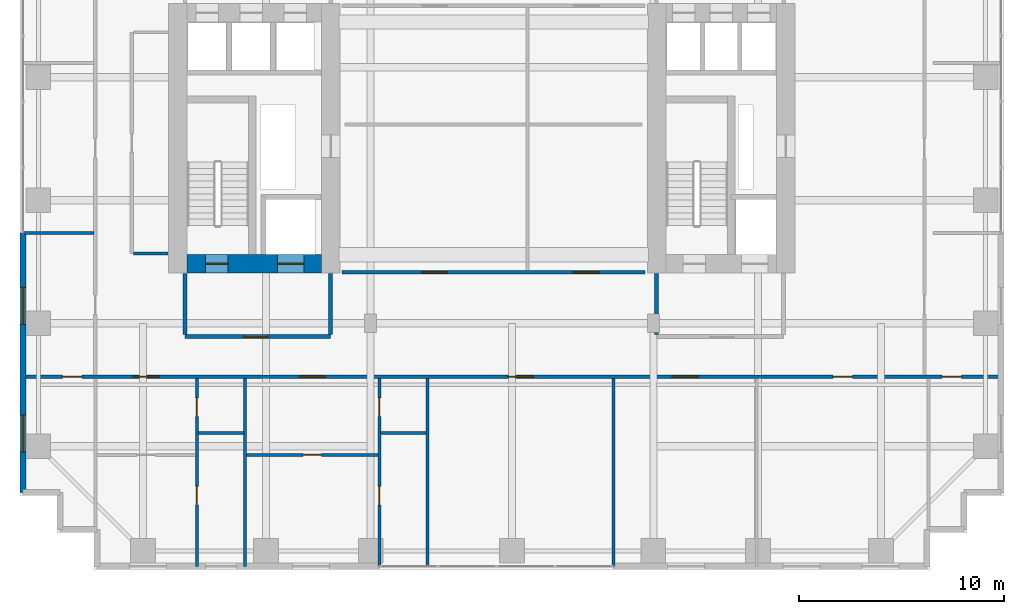
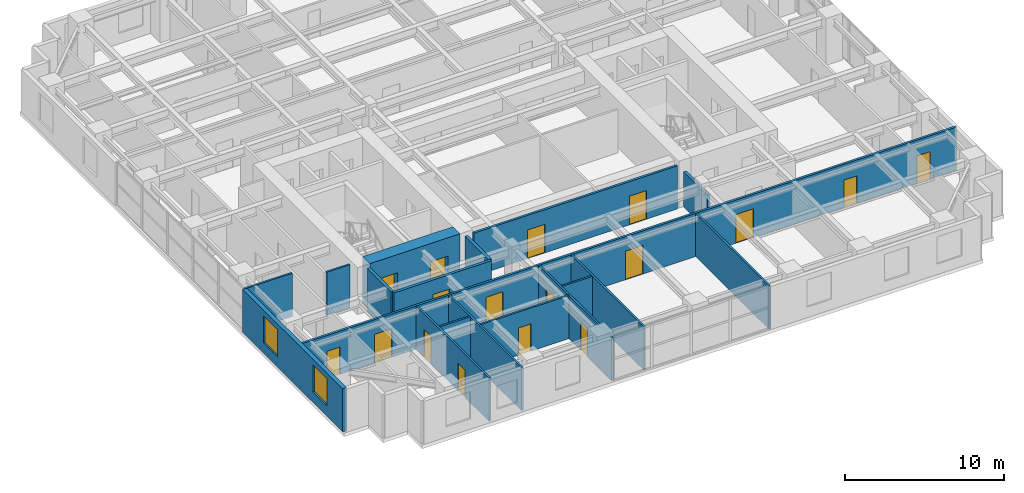
# One storey, part 20 of 24: 18 walls, 17 doors, 2 windows, 19 openings.
"""IFC4 building model written with IfcOpenShell, lengths in metres."""

from ifc_helpers import new_model, si_unit, direction, frame, frame_2d, origin, place, context, subcontext, project, spatial, rectangle, extrude, source, transform, mapped, material, layer, layer_set, type_object, element, fill, save


model = new_model("IFC4")

# Units and contexts
model_context = context("Model", 3, precision=1e-05, world=origin(), true_north=direction((0.0, 1.0)))
body_context = subcontext(model_context, "Body", "Model", "MODEL_VIEW")
ifc_project = project(units=[si_unit("LENGTHUNIT", "METRE"), si_unit("AREAUNIT", "SQUARE_METRE"), si_unit("VOLUMEUNIT", "CUBIC_METRE"), si_unit("PLANEANGLEUNIT", "RADIAN"), si_unit("MASSUNIT", "GRAM", prefix="KILO")], contexts=[model_context])

# Site, building, storey
site_placement = place(None, origin())
site = spatial("IfcSite", under=ifc_project, at=site_placement, CompositionType="ELEMENT")
building_placement = place(site_placement, origin())
building = spatial("IfcBuilding", under=site, at=building_placement, Name="Khoralis Quay Care Tower", CompositionType="ELEMENT")
storey_placement = place(building_placement, frame((0.0, 0.0, 62.10009765625)))
storey = spatial("IfcBuildingStorey", under=building, at=storey_placement, Name="L16", CompositionType="ELEMENT", Elevation=62.10009765625)

# Wall, opening, door
ifc_material_1 = material(Name="Gypsum plasterboard on acoustic metal stud")
ifc_layer_1 = layer(ifc_material_1, 0.199951171875)
ifc_layer_set_1 = layer_set([ifc_layer_1], Name="Gypsum plasterboard on acoustic metal stud")
wall_type_1 = type_object("IfcWallType", Name="WL-COMP-200", PredefinedType="PARTITIONING", material=ifc_layer_set_1)
wall_1_placement = place(storey_placement, frame((8.050048828125, 11.35009765625, 0.0), z_axis=(0.0, 0.0, 1.0), x_axis=(1.0, 0.0, 0.0)))
wall_1 = element("IfcWall", 1, at=wall_1_placement, inside=storey, type_object=wall_type_1, Name="L16 West Firefighting Lobby South Wall", PredefinedType="PARTITIONING", context=body_context, shape_type="SweptSolid", body=[
    extrude(rectangle(XDim=7.099853515625, YDim=0.199951171875, at=frame_2d((3.5498046875, 0.0))), origin(), (0.0, 0.0, 1.0), 3.31982421875),
])
opening_1_placement = place(wall_1_placement, frame((2.846435546875, 0.0, 0.0)))
opening_1 = element("IfcOpeningElement", 2, at=opening_1_placement, cuts=wall_1, Name="Opening FD1", PredefinedType="OPENING", context=body_context, shape_type="SweptSolid", body=[
    extrude(rectangle(XDim=1.199951171875, YDim=2.199951171875, at=frame_2d((0.60009765625, 1.10009765625))), frame((0.0, 0.10986328125, 0.0), z_axis=(0.0, -1.0, 0.0), x_axis=(1.0, 0.0, 0.0)), (0.0, 0.0, 1.0), 0.219970703125),
])
ifc_material_2 = material(Name="Fire-rated painted steel", Category="steel")
door_type_1 = type_object("IfcDoorType", Name="DR-FFL-1200X2200", OperationType="NOTDEFINED", PredefinedType="DOOR", material=ifc_material_2)
shared_shape_1 = source(origin(), body_context, "Body", "SweptSolid", [
    extrude(rectangle(XDim=1.199951171875, YDim=2.199951171875, at=frame_2d((0.60009765625, 1.10009765625))), frame((0.0, 0.02490234375, 0.0), z_axis=(0.0, -1.0, 0.0), x_axis=(1.0, 0.0, 0.0)), (0.0, 0.0, 1.0), 0.050048828125),
])
door_1_placement = place(opening_1_placement, origin())
door_1 = element("IfcDoor", 3, at=door_1_placement, inside=storey, type_object=door_type_1, Name="L16 West Firefighting Lobby Fire Door", OperationType="SINGLE_SWING_RIGHT", OverallHeight=2.199951171875, OverallWidth=1.199951171875, PredefinedType="DOOR", context=body_context, shape_type="MappedRepresentation", body=[
    mapped(shared_shape_1, transform((0.0, 0.0, 0.0), scale=1.0)),
])
fill(opening_1, door_1)

# Walls
for number, where, z_axis, x_axis, name in (
    (4, (8.050048828125, 11.445068359375, 0.0), (0.0, 0.0, 1.0), (0.0, 1.0, 0.0), "L16 West Firefighting Lobby West Wall"),
    (5, (15.14990234375, 11.445068359375, 0.0), (0.0, 0.0, 1.0), (0.0, 1.0, 0.0), "L16 West Firefighting Lobby East Wall"),
):
    element("IfcWall", number, at=place(storey_placement, frame(where, z_axis=z_axis, x_axis=x_axis)), inside=storey, type_object=wall_type_1, Name=name, PredefinedType="PARTITIONING", context=body_context, shape_type="SweptSolid", body=[
        extrude(rectangle(XDim=2.98486328125, YDim=0.199951171875, at=frame_2d((1.492431640625, 0.0))), origin(), (0.0, 0.0, 1.0), 3.31982421875),
    ])
wall_2_placement = place(storey_placement, frame((31.050048828125, 11.445068359375, 0.0), z_axis=(0.0, 0.0, 1.0), x_axis=(0.0, 1.0, 0.0)))
element("IfcWall", 6, at=wall_2_placement, inside=storey, type_object=wall_type_1, Name="L16 East Firefighting Lobby West Wall", PredefinedType="PARTITIONING", context=body_context, shape_type="SweptSolid", body=[
    extrude(rectangle(XDim=2.98486328125, YDim=0.199951171875, at=frame_2d((1.492431640625, 0.0))), origin(), (0.0, 0.0, 1.0), 2.703857421875),
])

# Wall, openings, doors
ifc_material_3 = material(Name="Concrete C80/95", Category="concrete")
ifc_layer_2 = layer(ifc_material_3, 0.89990234375)
ifc_layer_set_2 = layer_set([ifc_layer_2], Name="Concrete C80/95")
wall_type_2 = type_object("IfcWallType", Name="WL-CORE-900", PredefinedType="SHEAR", material=ifc_layer_set_2)
wall_3_placement = place(storey_placement, frame((8.14990234375, 14.89990234375, 0.0), z_axis=(0.0, 0.0, 1.0), x_axis=(1.0, 0.0, 0.0)))
wall_3 = element("IfcWall", 7, at=wall_3_placement, inside=storey, type_object=wall_type_2, Name="L16 WCORE South Shear Wall", PredefinedType="SHEAR", context=body_context, shape_type="SweptSolid", body=[
    extrude(rectangle(XDim=6.550048828125, YDim=0.89990234375, at=frame_2d((3.27490234375, 0.0))), origin(), (0.0, 0.0, 1.0), 3.599853515625),
])
opening_2_placement = place(wall_3_placement, frame((0.89990234375, 0.0, 0.0)))
opening_2 = element("IfcOpeningElement", 8, at=opening_2_placement, cuts=wall_3, Name="Opening SD1", PredefinedType="OPENING", context=body_context, shape_type="SweptSolid", body=[
    extrude(rectangle(XDim=1.10009765625, YDim=2.199951171875, at=frame_2d((0.550048828125, 1.10009765625))), frame((0.0, 0.4599609375, 0.0), z_axis=(0.0, -1.0, 0.0), x_axis=(1.0, 0.0, 0.0)), (0.0, 0.0, 1.0), 0.919921875),
])
opening_3_placement = place(wall_3_placement, frame((4.39990234375, 0.0, 0.0)))
opening_3 = element("IfcOpeningElement", 9, at=opening_3_placement, cuts=wall_3, Name="Opening LD2", PredefinedType="OPENING", context=body_context, shape_type="SweptSolid", body=[
    extrude(rectangle(XDim=1.300048828125, YDim=2.199951171875, at=frame_2d((0.64990234375, 1.10009765625))), frame((0.0, 0.4599609375, 0.0), z_axis=(0.0, -1.0, 0.0), x_axis=(1.0, 0.0, 0.0)), (0.0, 0.0, 1.0), 0.919921875),
])
door_type_2 = type_object("IfcDoorType", Name="DR-STAIR-1100X2200", OperationType="NOTDEFINED", PredefinedType="DOOR", material=ifc_material_2)
shared_shape_2 = source(origin(), body_context, "Body", "SweptSolid", [
    extrude(rectangle(XDim=1.10009765625, YDim=2.199951171875, at=frame_2d((0.550048828125, 1.10009765625))), frame((0.0, 0.02490234375, 0.0), z_axis=(0.0, -1.0, 0.0), x_axis=(1.0, 0.0, 0.0)), (0.0, 0.0, 1.0), 0.050048828125),
])
door_2_placement = place(opening_2_placement, origin())
door_2 = element("IfcDoor", 10, at=door_2_placement, inside=storey, type_object=door_type_2, Name="L16 Stair ST-T1 Fire Door", OperationType="SINGLE_SWING_RIGHT", OverallHeight=2.199951171875, OverallWidth=1.10009765625, PredefinedType="DOOR", context=body_context, shape_type="MappedRepresentation", body=[
    mapped(shared_shape_2, transform((0.0, 0.0, 0.0), scale=1.0)),
])
fill(opening_2, door_2)
ifc_material_4 = material(Name="Brushed stainless steel", Category="steel")
door_type_3 = type_object("IfcDoorType", Name="DR-LIFT-1300X2200", OperationType="SLIDING_TO_RIGHT", PredefinedType="DOOR", material=ifc_material_4)
shared_shape_3 = source(origin(), body_context, "Body", "SweptSolid", [
    extrude(rectangle(XDim=1.300048828125, YDim=2.199951171875, at=frame_2d((0.64990234375, 1.10009765625))), frame((0.0, 0.02490234375, 0.0), z_axis=(0.0, -1.0, 0.0), x_axis=(1.0, 0.0, 0.0)), (0.0, 0.0, 1.0), 0.050048828125),
])
door_3_placement = place(opening_3_placement, origin())
door_3 = element("IfcDoor", 11, at=door_3_placement, inside=storey, type_object=door_type_3, Name="L16 Firefighting Lift FFL-1 Landing Door", OperationType="SLIDING_TO_RIGHT", OverallHeight=2.199951171875, OverallWidth=1.300048828125, PredefinedType="DOOR", context=body_context, shape_type="MappedRepresentation", body=[
    mapped(shared_shape_3, transform((0.0, 0.0, 0.0), scale=1.0)),
])
fill(opening_3, door_3)

ifc_layer_3 = layer(ifc_material_1, 0.1650390625)
ifc_layer_set_3 = layer_set([ifc_layer_3], Name="Gypsum plasterboard on acoustic metal stud")
wall_type_3 = type_object("IfcWallType", Name="WL-CORR-165", PredefinedType="PARTITIONING", material=ifc_layer_set_3)
wall_4_placement = place(storey_placement, frame((0.14501953125, 9.39990234375, 0.0), z_axis=(0.0, 0.0, 1.0), x_axis=(1.0, 0.0, 0.0)))
wall_4 = element("IfcWall", 12, at=wall_4_placement, inside=storey, type_object=wall_type_3, Name="L16 South Main Corridor Wall", PredefinedType="PARTITIONING", context=body_context, shape_type="SweptSolid", body=[
    extrude(rectangle(XDim=47.7099609375, YDim=0.1650390625, at=frame_2d((23.85498046875, 0.0))), origin(), (0.0, 0.0, 1.0), 3.31982421875),
])
opening_4_placement = place(wall_4_placement, frame((5.385009765625, 0.0, 0.0)))
opening_4 = element("IfcOpeningElement", 13, at=opening_4_placement, cuts=wall_4, Name="Opening CD1", PredefinedType="OPENING", context=body_context, shape_type="SweptSolid", body=[
    extrude(rectangle(XDim=1.25, YDim=2.199951171875, at=frame_2d((0.625, 1.10009765625))), frame((0.0, 0.092529296875, 0.0), z_axis=(0.0, -1.0, 0.0), x_axis=(1.0, 0.0, 0.0)), (0.0, 0.0, 1.0), 0.18505859375),
])
opening_5_placement = place(wall_4_placement, frame((13.485107421875, 0.0, 0.0)))
opening_5 = element("IfcOpeningElement", 14, at=opening_5_placement, cuts=wall_4, Name="Opening CD1", PredefinedType="OPENING", context=body_context, shape_type="SweptSolid", body=[
    extrude(rectangle(XDim=1.25, YDim=2.199951171875, at=frame_2d((0.625, 1.10009765625))), frame((0.0, 0.092529296875, 0.0), z_axis=(0.0, -1.0, 0.0), x_axis=(1.0, 0.0, 0.0)), (0.0, 0.0, 1.0), 0.18505859375),
])
opening_6_placement = place(wall_4_placement, frame((23.64501953125, 0.0, 0.0)))
opening_6 = element("IfcOpeningElement", 15, at=opening_6_placement, cuts=wall_4, Name="Opening CD1", PredefinedType="OPENING", context=body_context, shape_type="SweptSolid", body=[
    extrude(rectangle(XDim=1.25, YDim=2.199951171875, at=frame_2d((0.625, 1.10009765625))), frame((0.0, 0.092529296875, 0.0), z_axis=(0.0, -1.0, 0.0), x_axis=(1.0, 0.0, 0.0)), (0.0, 0.0, 1.0), 0.18505859375),
])
opening_7_placement = place(wall_4_placement, frame((31.675048828125, 0.0, 0.0)))
opening_7 = element("IfcOpeningElement", 16, at=opening_7_placement, cuts=wall_4, Name="Opening CD1", PredefinedType="OPENING", context=body_context, shape_type="SweptSolid", body=[
    extrude(rectangle(XDim=1.25, YDim=2.199951171875, at=frame_2d((0.625, 1.10009765625))), frame((0.0, 0.092529296875, 0.0), z_axis=(0.0, -1.0, 0.0), x_axis=(1.0, 0.0, 0.0)), (0.0, 0.0, 1.0), 0.18505859375),
])
opening_8_placement = place(wall_4_placement, frame((39.510009765625, 0.0, 0.0)))
opening_8 = element("IfcOpeningElement", 17, at=opening_8_placement, cuts=wall_4, Name="Opening ID1", PredefinedType="OPENING", context=body_context, shape_type="SweptSolid", body=[
    extrude(rectangle(XDim=0.949951171875, YDim=2.10009765625, at=frame_2d((0.47509765625, 1.050048828125))), frame((0.0, 0.092529296875, 0.0), z_axis=(0.0, -1.0, 0.0), x_axis=(1.0, 0.0, 0.0)), (0.0, 0.0, 1.0), 0.18505859375),
])
opening_9_placement = place(wall_4_placement, frame((1.919921875, 0.0, 0.0)))
opening_9 = element("IfcOpeningElement", 18, at=opening_9_placement, cuts=wall_4, Name="Opening ID1", PredefinedType="OPENING", context=body_context, shape_type="SweptSolid", body=[
    extrude(rectangle(XDim=0.949951171875, YDim=2.10009765625, at=frame_2d((0.47509765625, 1.050048828125))), frame((0.0, 0.092529296875, 0.0), z_axis=(0.0, -1.0, 0.0), x_axis=(1.0, 0.0, 0.0)), (0.0, 0.0, 1.0), 0.18505859375),
])
opening_10_placement = place(wall_4_placement, frame((44.840087890625, 0.0, 0.0)))
opening_10 = element("IfcOpeningElement", 19, at=opening_10_placement, cuts=wall_4, Name="Opening ID1", PredefinedType="OPENING", context=body_context, shape_type="SweptSolid", body=[
    extrude(rectangle(XDim=0.949951171875, YDim=2.10009765625, at=frame_2d((0.47509765625, 1.050048828125))), frame((0.0, 0.092529296875, 0.0), z_axis=(0.0, -1.0, 0.0), x_axis=(1.0, 0.0, 0.0)), (0.0, 0.0, 1.0), 0.18505859375),
])
ifc_material_5 = material(Name="Acoustic hardwood timber", Category="wood")
door_type_4 = type_object("IfcDoorType", Name="DR-CARE-1250X2200", OperationType="NOTDEFINED", PredefinedType="DOOR", material=ifc_material_5)
shared_shape_4 = source(origin(), body_context, "Body", "SweptSolid", [
    extrude(rectangle(XDim=1.25, YDim=2.199951171875, at=frame_2d((0.625, 1.10009765625))), frame((0.0, 0.02490234375, 0.0), z_axis=(0.0, -1.0, 0.0), x_axis=(1.0, 0.0, 0.0)), (0.0, 0.0, 1.0), 0.050048828125),
])
door_4_placement = place(opening_4_placement, frame((1.25, 0.0, 0.0), z_axis=(0.0, 0.0, 1.0), x_axis=(-1.0, 0.0, 0.0)))
door_4 = element("IfcDoor", 20, at=door_4_placement, inside=storey, type_object=door_type_4, Name="L16 Care Suite SB0 Clinical Door", OperationType="SINGLE_SWING_RIGHT", OverallHeight=2.199951171875, OverallWidth=1.25, PredefinedType="DOOR", context=body_context, shape_type="MappedRepresentation", body=[
    mapped(shared_shape_4, transform((0.0, 0.0, 0.0), scale=1.0)),
])
fill(opening_4, door_4)
door_5_placement = place(opening_5_placement, frame((1.25, 0.0, 0.0), z_axis=(0.0, 0.0, 1.0), x_axis=(-1.0, 0.0, 0.0)))
door_5 = element("IfcDoor", 21, at=door_5_placement, inside=storey, type_object=door_type_4, Name="L16 Care Suite SB1 Clinical Door", OperationType="SINGLE_SWING_LEFT", OverallHeight=2.199951171875, OverallWidth=1.25, PredefinedType="DOOR", context=body_context, shape_type="MappedRepresentation", body=[
    mapped(shared_shape_4, transform((0.0, 0.0, 0.0), scale=1.0)),
])
fill(opening_5, door_5)
door_6_placement = place(opening_6_placement, frame((1.25, 0.0, 0.0), z_axis=(0.0, 0.0, 1.0), x_axis=(-1.0, 0.0, 0.0)))
door_6 = element("IfcDoor", 22, at=door_6_placement, inside=storey, type_object=door_type_4, Name="L16 Geriatric Consultation Clinic Door", OperationType="SINGLE_SWING_RIGHT", OverallHeight=2.199951171875, OverallWidth=1.25, PredefinedType="DOOR", context=body_context, shape_type="MappedRepresentation", body=[
    mapped(shared_shape_4, transform((0.0, 0.0, 0.0), scale=1.0)),
])
fill(opening_6, door_6)
door_7_placement = place(opening_7_placement, frame((1.25, 0.0, 0.0), z_axis=(0.0, 0.0, 1.0), x_axis=(-1.0, 0.0, 0.0)))
door_7 = element("IfcDoor", 23, at=door_7_placement, inside=storey, type_object=door_type_4, Name="L16 Physiotherapy Treatment Clinic Door", OperationType="SINGLE_SWING_LEFT", OverallHeight=2.199951171875, OverallWidth=1.25, PredefinedType="DOOR", context=body_context, shape_type="MappedRepresentation", body=[
    mapped(shared_shape_4, transform((0.0, 0.0, 0.0), scale=1.0)),
])
fill(opening_7, door_7)
door_type_5 = type_object("IfcDoorType", Name="DR-ROOM-950X2100", OperationType="NOTDEFINED", PredefinedType="DOOR", material=ifc_material_5)
shared_shape_5 = source(origin(), body_context, "Body", "SweptSolid", [
    extrude(rectangle(XDim=0.949951171875, YDim=2.10009765625, at=frame_2d((0.47509765625, 1.050048828125))), frame((0.0, 0.02490234375, 0.0), z_axis=(0.0, -1.0, 0.0), x_axis=(1.0, 0.0, 0.0)), (0.0, 0.0, 1.0), 0.050048828125),
])
door_8_placement = place(opening_8_placement, frame((0.949951171875, 0.0, 0.0), z_axis=(0.0, 0.0, 1.0), x_axis=(-1.0, 0.0, 0.0)))
door_8 = element("IfcDoor", 24, at=door_8_placement, inside=storey, type_object=door_type_5, Name="L16 Care Coordination Office Door", OperationType="SINGLE_SWING_LEFT", OverallHeight=2.10009765625, OverallWidth=0.949951171875, PredefinedType="DOOR", context=body_context, shape_type="MappedRepresentation", body=[
    mapped(shared_shape_5, transform((0.0, 0.0, 0.0), scale=1.0)),
])
fill(opening_8, door_8)
door_9_placement = place(opening_9_placement, frame((0.949951171875, 0.0, 0.0), z_axis=(0.0, 0.0, 1.0), x_axis=(-1.0, 0.0, 0.0)))
door_9 = element("IfcDoor", 25, at=door_9_placement, inside=storey, type_object=door_type_5, Name="L16 SW Corner Door", OperationType="SINGLE_SWING_LEFT", OverallHeight=2.10009765625, OverallWidth=0.949951171875, PredefinedType="DOOR", context=body_context, shape_type="MappedRepresentation", body=[
    mapped(shared_shape_5, transform((0.0, 0.0, 0.0), scale=1.0)),
])
fill(opening_9, door_9)
door_10_placement = place(opening_10_placement, frame((0.949951171875, 0.0, 0.0), z_axis=(0.0, 0.0, 1.0), x_axis=(-1.0, 0.0, 0.0)))
door_10 = element("IfcDoor", 26, at=door_10_placement, inside=storey, type_object=door_type_5, Name="L16 SE Corner Door", OperationType="SINGLE_SWING_RIGHT", OverallHeight=2.10009765625, OverallWidth=0.949951171875, PredefinedType="DOOR", context=body_context, shape_type="MappedRepresentation", body=[
    mapped(shared_shape_5, transform((0.0, 0.0, 0.0), scale=1.0)),
])
fill(opening_10, door_10)

wall_5_placement = place(storey_placement, frame((15.699951171875, 14.5, 0.0), z_axis=(0.0, 0.0, 1.0), x_axis=(1.0, 0.0, 0.0)))
wall_5 = element("IfcWall", 27, at=wall_5_placement, inside=storey, type_object=wall_type_3, Name="L16 Central Clinical South Wall", PredefinedType="PARTITIONING", context=body_context, shape_type="SweptSolid", body=[
    extrude(rectangle(XDim=14.800048828125, YDim=0.1650390625, at=frame_2d((7.39990234375, 0.0))), origin(), (0.0, 0.0, 1.0), 3.31982421875),
])
opening_11_placement = place(wall_5_placement, frame((3.89990234375, 0.0, 0.0)))
opening_11 = element("IfcOpeningElement", 28, at=opening_11_placement, cuts=wall_5, Name="Opening CD1", PredefinedType="OPENING", context=body_context, shape_type="SweptSolid", body=[
    extrude(rectangle(XDim=1.25, YDim=2.199951171875, at=frame_2d((0.625, 1.10009765625))), frame((0.0, 0.092529296875, 0.0), z_axis=(0.0, -1.0, 0.0), x_axis=(1.0, 0.0, 0.0)), (0.0, 0.0, 1.0), 0.18505859375),
])
opening_12_placement = place(wall_5_placement, frame((11.300048828125, 0.0, 0.0)))
opening_12 = element("IfcOpeningElement", 29, at=opening_12_placement, cuts=wall_5, Name="Opening CD1", PredefinedType="OPENING", context=body_context, shape_type="SweptSolid", body=[
    extrude(rectangle(XDim=1.25, YDim=2.199951171875, at=frame_2d((0.625, 1.10009765625))), frame((0.0, 0.092529296875, 0.0), z_axis=(0.0, -1.0, 0.0), x_axis=(1.0, 0.0, 0.0)), (0.0, 0.0, 1.0), 0.18505859375),
])
door_11_placement = place(opening_11_placement, origin())
door_11 = element("IfcDoor", 30, at=door_11_placement, inside=storey, type_object=door_type_4, Name="L16 Nurse Station Door", OperationType="SINGLE_SWING_LEFT", OverallHeight=2.199951171875, OverallWidth=1.25, PredefinedType="DOOR", context=body_context, shape_type="MappedRepresentation", body=[
    mapped(shared_shape_4, transform((0.0, 0.0, 0.0), scale=1.0)),
])
fill(opening_11, door_11)
door_12_placement = place(opening_12_placement, origin())
door_12 = element("IfcDoor", 31, at=door_12_placement, inside=storey, type_object=door_type_4, Name="L16 Treatment Clinic Door", OperationType="SINGLE_SWING_RIGHT", OverallHeight=2.199951171875, OverallWidth=1.25, PredefinedType="DOOR", context=body_context, shape_type="MappedRepresentation", body=[
    mapped(shared_shape_4, transform((0.0, 0.0, 0.0), scale=1.0)),
])
fill(opening_12, door_12)

# Wall, openings, windows
ifc_material_6 = material(Name="Precast concrete C45/55", Category="concrete")
ifc_layer_4 = layer(ifc_material_6, 0.300048828125)
ifc_layer_set_4 = layer_set([ifc_layer_4], Name="Precast concrete C45/55")
wall_type_4 = type_object("IfcWallType", Name="WL-EXT-REF-300", PredefinedType="SOLIDWALL", material=ifc_layer_set_4)
wall_6_placement = place(storey_placement, frame((0.14990234375, 16.39990234375, 0.0), z_axis=(0.0, 0.0, 1.0), x_axis=(0.0, -1.0, 0.0)))
wall_6 = element("IfcWall", 32, at=wall_6_placement, inside=storey, type_object=wall_type_4, Name="L16 External Facade Wall WL-EXT-L16-P1-E15B", PredefinedType="SOLIDWALL", context=body_context, shape_type="SweptSolid", body=[
    extrude(rectangle(XDim=12.64990234375, YDim=0.300048828125, at=frame_2d((6.324951171875, 0.0))), origin(), (0.0, 0.0, 1.0), 3.31982421875),
])
opening_13_placement = place(wall_6_placement, frame((2.64990234375, 0.0, 0.800048828125)))
opening_13 = element("IfcOpeningElement", 33, at=opening_13_placement, cuts=wall_6, Name="Opening W2", PredefinedType="OPENING", context=body_context, shape_type="SweptSolid", body=[
    extrude(rectangle(XDim=1.800048828125, YDim=2.10009765625, at=frame_2d((0.89990234375, 1.050048828125))), frame((0.0, 0.16015625, 0.0), z_axis=(0.0, -1.0, 0.0), x_axis=(1.0, 0.0, 0.0)), (0.0, 0.0, 1.0), 0.320068359375),
])
opening_14_placement = place(wall_6_placement, frame((8.875, 0.0, 0.800048828125)))
opening_14 = element("IfcOpeningElement", 34, at=opening_14_placement, cuts=wall_6, Name="Opening W2", PredefinedType="OPENING", context=body_context, shape_type="SweptSolid", body=[
    extrude(rectangle(XDim=1.800048828125, YDim=2.10009765625, at=frame_2d((0.89990234375, 1.050048828125))), frame((0.0, 0.16015625, 0.0), z_axis=(0.0, -1.0, 0.0), x_axis=(1.0, 0.0, 0.0)), (0.0, 0.0, 1.0), 0.320068359375),
])
ifc_material_7 = material(Name="Low-E solar-control double glazing", Category="glass")
window_type = type_object("IfcWindowType", Name="WN-POD-1800X2100", PartitioningType="SINGLE_PANEL", PredefinedType="WINDOW", material=ifc_material_7)
shared_shape_6 = source(origin(), body_context, "Body", "SweptSolid", [
    extrude(rectangle(XDim=1.800048828125, YDim=2.10009765625, at=frame_2d((0.89990234375, 1.050048828125))), frame((0.0, 0.030029296875, 0.0), z_axis=(0.0, -1.0, 0.0), x_axis=(1.0, 0.0, 0.0)), (0.0, 0.0, 1.0), 0.06005859375),
])
window_1_placement = place(opening_13_placement, origin())
window_1 = element("IfcWindow", 35, at=window_1_placement, inside=storey, type_object=window_type, Name="WN-L16-P1-E15B Facade Window 01", OverallHeight=2.10009765625, OverallWidth=1.800048828125, PartitioningType="SINGLE_PANEL", PredefinedType="WINDOW", context=body_context, shape_type="MappedRepresentation", body=[
    mapped(shared_shape_6, transform((0.0, 0.0, 0.0), scale=1.0)),
])
fill(opening_13, window_1)
window_2_placement = place(opening_14_placement, origin())
window_2 = element("IfcWindow", 36, at=window_2_placement, inside=storey, type_object=window_type, Name="WN-L16-P1-E15B Facade Window 02", OverallHeight=2.10009765625, OverallWidth=1.800048828125, PartitioningType="SINGLE_PANEL", PredefinedType="WINDOW", context=body_context, shape_type="MappedRepresentation", body=[
    mapped(shared_shape_6, transform((0.0, 0.0, 0.0), scale=1.0)),
])
fill(opening_14, window_2)

# Wall, openings, doors
ifc_material_8 = material(Name="Moisture-resistant gypsum and ceramic tile")
ifc_layer_5 = layer(ifc_material_8, 0.280029296875)
ifc_layer_set_5 = layer_set([ifc_layer_5], Name="Moisture-resistant gypsum and ceramic tile")
wall_type_5 = type_object("IfcWallType", Name="WL-PLUMB-280", PredefinedType="PLUMBINGWALL", material=ifc_layer_set_5)
wall_7_placement = place(storey_placement, frame((8.6298828125, 0.14501953125, 0.0), z_axis=(0.0, 0.0, 1.0), x_axis=(0.0, 1.0, 0.0)))
wall_7 = element("IfcWall", 37, at=wall_7_placement, inside=storey, type_object=wall_type_5, Name="L16 Care Suite 0 En-Suite Wall V", PredefinedType="PLUMBINGWALL", context=body_context, shape_type="SweptSolid", body=[
    extrude(rectangle(XDim=9.177490234375, YDim=0.139892578125, at=frame_2d((4.5888671875, 0.0))), origin(), (0.0, 0.0, 1.0), 3.31982421875),
])
opening_15_placement = place(wall_7_placement, frame((7.31494140625, 0.0, 0.0)))
opening_15 = element("IfcOpeningElement", 38, at=opening_15_placement, cuts=wall_7, Name="Opening WD1", PredefinedType="OPENING", context=body_context, shape_type="SweptSolid", body=[
    extrude(rectangle(XDim=0.89990234375, YDim=2.10009765625, at=frame_2d((0.449951171875, 1.050048828125))), frame((0.0, 0.080078125, 0.0), z_axis=(0.0, -1.0, 0.0), x_axis=(1.0, 0.0, 0.0)), (0.0, 0.0, 1.0), 0.159912109375),
])
opening_16_placement = place(wall_7_placement, frame((3.0048828125, 0.0, 0.0)))
opening_16 = element("IfcOpeningElement", 39, at=opening_16_placement, cuts=wall_7, Name="Opening WD1", PredefinedType="OPENING", context=body_context, shape_type="SweptSolid", body=[
    extrude(rectangle(XDim=0.89990234375, YDim=2.10009765625, at=frame_2d((0.449951171875, 1.050048828125))), frame((0.0, 0.080078125, 0.0), z_axis=(0.0, -1.0, 0.0), x_axis=(1.0, 0.0, 0.0)), (0.0, 0.0, 1.0), 0.159912109375),
])
door_type_6 = type_object("IfcDoorType", Name="DR-BATH-900X2100", OperationType="NOTDEFINED", PredefinedType="DOOR", material=ifc_material_5)
shared_shape_7 = source(origin(), body_context, "Body", "SweptSolid", [
    extrude(rectangle(XDim=0.89990234375, YDim=2.10009765625, at=frame_2d((0.449951171875, 1.050048828125))), frame((0.0, 0.02490234375, 0.0), z_axis=(0.0, -1.0, 0.0), x_axis=(1.0, 0.0, 0.0)), (0.0, 0.0, 1.0), 0.050048828125),
])
door_13_placement = place(opening_15_placement, frame((0.89990234375, 0.0, 0.0), z_axis=(0.0, 0.0, 1.0), x_axis=(-1.0, 0.0, 0.0)))
door_13 = element("IfcDoor", 40, at=door_13_placement, inside=storey, type_object=door_type_6, Name="L16 Care CENS Door", OperationType="SINGLE_SWING_LEFT", OverallHeight=2.10009765625, OverallWidth=0.89990234375, PredefinedType="DOOR", context=body_context, shape_type="MappedRepresentation", body=[
    mapped(shared_shape_7, transform((0.0, 0.0, 0.0), scale=1.0)),
])
fill(opening_15, door_13)
door_14_placement = place(opening_16_placement, frame((0.89990234375, 0.0, 0.0), z_axis=(0.0, 0.0, 1.0), x_axis=(-1.0, 0.0, 0.0)))
door_14 = element("IfcDoor", 41, at=door_14_placement, inside=storey, type_object=door_type_6, Name="L16 Care CSIT Door", OperationType="SINGLE_SWING_RIGHT", OverallHeight=2.10009765625, OverallWidth=0.89990234375, PredefinedType="DOOR", context=body_context, shape_type="MappedRepresentation", body=[
    mapped(shared_shape_7, transform((0.0, 0.0, 0.0), scale=1.0)),
])
fill(opening_16, door_14)

# Wall
wall_8_placement = place(storey_placement, frame((8.695068359375, 6.64990234375, 0.0), z_axis=(0.0, 0.0, 1.0), x_axis=(1.0, 0.0, 0.0)))
element("IfcWall", 42, at=wall_8_placement, inside=storey, type_object=wall_type_5, Name="L16 Care Suite 0 En-Suite Wall H", PredefinedType="PLUMBINGWALL", context=body_context, shape_type="SweptSolid", body=[
    extrude(rectangle(XDim=2.219970703125, YDim=0.139892578125, at=frame_2d((1.10986328125, 0.0))), origin(), (0.0, 0.0, 1.0), 3.31982421875),
])

# Wall, openings, doors
wall_9_placement = place(storey_placement, frame((17.530029296875, 0.14501953125, 0.0), z_axis=(0.0, 0.0, 1.0), x_axis=(0.0, 1.0, 0.0)))
wall_9 = element("IfcWall", 43, at=wall_9_placement, inside=storey, type_object=wall_type_5, Name="L16 Care Suite 1 En-Suite Wall V", PredefinedType="PLUMBINGWALL", context=body_context, shape_type="SweptSolid", body=[
    extrude(rectangle(XDim=9.177490234375, YDim=0.139892578125, at=frame_2d((4.5888671875, 0.0))), origin(), (0.0, 0.0, 1.0), 3.31982421875),
])
opening_17_placement = place(wall_9_placement, frame((7.31494140625, 0.0, 0.0)))
opening_17 = element("IfcOpeningElement", 44, at=opening_17_placement, cuts=wall_9, Name="Opening WD1", PredefinedType="OPENING", context=body_context, shape_type="SweptSolid", body=[
    extrude(rectangle(XDim=0.89990234375, YDim=2.10009765625, at=frame_2d((0.449951171875, 1.050048828125))), frame((0.0, 0.080078125, 0.0), z_axis=(0.0, -1.0, 0.0), x_axis=(1.0, 0.0, 0.0)), (0.0, 0.0, 1.0), 0.159912109375),
])
opening_18_placement = place(wall_9_placement, frame((3.0048828125, 0.0, 0.0)))
opening_18 = element("IfcOpeningElement", 45, at=opening_18_placement, cuts=wall_9, Name="Opening WD1", PredefinedType="OPENING", context=body_context, shape_type="SweptSolid", body=[
    extrude(rectangle(XDim=0.89990234375, YDim=2.10009765625, at=frame_2d((0.449951171875, 1.050048828125))), frame((0.0, 0.080078125, 0.0), z_axis=(0.0, -1.0, 0.0), x_axis=(1.0, 0.0, 0.0)), (0.0, 0.0, 1.0), 0.159912109375),
])
door_15_placement = place(opening_17_placement, frame((0.89990234375, 0.0, 0.0), z_axis=(0.0, 0.0, 1.0), x_axis=(-1.0, 0.0, 0.0)))
door_15 = element("IfcDoor", 46, at=door_15_placement, inside=storey, type_object=door_type_6, Name="L16 Care CENS Door", OperationType="SINGLE_SWING_RIGHT", OverallHeight=2.10009765625, OverallWidth=0.89990234375, PredefinedType="DOOR", context=body_context, shape_type="MappedRepresentation", body=[
    mapped(shared_shape_7, transform((0.0, 0.0, 0.0), scale=1.0)),
])
fill(opening_17, door_15)
door_16_placement = place(opening_18_placement, frame((0.89990234375, 0.0, 0.0), z_axis=(0.0, 0.0, 1.0), x_axis=(-1.0, 0.0, 0.0)))
door_16 = element("IfcDoor", 47, at=door_16_placement, inside=storey, type_object=door_type_6, Name="L16 Care CSIT Door", OperationType="SINGLE_SWING_LEFT", OverallHeight=2.10009765625, OverallWidth=0.89990234375, PredefinedType="DOOR", context=body_context, shape_type="MappedRepresentation", body=[
    mapped(shared_shape_7, transform((0.0, 0.0, 0.0), scale=1.0)),
])
fill(opening_18, door_16)

# Walls
wall_10_placement = place(storey_placement, frame((17.594970703125, 6.64990234375, 0.0), z_axis=(0.0, 0.0, 1.0), x_axis=(1.0, 0.0, 0.0)))
element("IfcWall", 48, at=wall_10_placement, inside=storey, type_object=wall_type_5, Name="L16 Care Suite 1 En-Suite Wall H", PredefinedType="PLUMBINGWALL", context=body_context, shape_type="SweptSolid", body=[
    extrude(rectangle(XDim=2.219970703125, YDim=0.139892578125, at=frame_2d((1.10986328125, 0.0))), origin(), (0.0, 0.0, 1.0), 3.31982421875),
])
ifc_layer_6 = layer(ifc_material_1, 0.139892578125)
ifc_layer_set_6 = layer_set([ifc_layer_6], Name="Gypsum plasterboard on acoustic metal stud")
wall_type_6 = type_object("IfcWallType", Name="WL-UNIT-140", PredefinedType="PARTITIONING", material=ifc_layer_set_6)
wall_11_placement = place(storey_placement, frame((5.527587890625, 15.39990234375, 0.0), z_axis=(0.0, 0.0, 1.0), x_axis=(1.0, 0.0, 0.0)))
element("IfcWall", 49, at=wall_11_placement, inside=storey, type_object=wall_type_6, Name="L16 West Flank South Cap", PredefinedType="PARTITIONING", context=body_context, shape_type="SweptSolid", body=[
    extrude(rectangle(XDim=1.682373046875, YDim=0.139892578125, at=frame_2d((0.84130859375, 0.0))), origin(), (0.0, 0.0, 1.0), 3.31982421875),
])
wall_12_placement = place(storey_placement, frame((0.14501953125, 16.39990234375, 0.0), z_axis=(0.0, 0.0, 1.0), x_axis=(1.0, 0.0, 0.0)))
element("IfcWall", 50, at=wall_12_placement, inside=storey, type_object=wall_type_6, Name="L16 WW Divider 1", PredefinedType="PARTITIONING", context=body_context, shape_type="SweptSolid", body=[
    extrude(rectangle(XDim=3.45751953125, YDim=0.139892578125, at=frame_2d((1.728759765625, 0.0))), origin(), (0.0, 0.0, 1.0), 3.31982421875),
])
for number, where, z_axis, x_axis, name in (
    (51, (10.97998046875, 0.14501953125, 0.0), (0.0, 0.0, 1.0), (0.0, 1.0, 0.0), "L16 SB Demising Wall 1"),
    (52, (19.8798828125, 0.14501953125, 0.0), (0.0, 0.0, 1.0), (0.0, 1.0, 0.0), "L16 SB Demising Wall 2"),
    (53, (28.949951171875, 0.14501953125, 0.0), (0.0, 0.0, 1.0), (0.0, 1.0, 0.0), "L16 SB Demising Wall 3"),
):
    element("IfcWall", number, at=place(storey_placement, frame(where, z_axis=z_axis, x_axis=x_axis)), inside=storey, type_object=wall_type_6, Name=name, PredefinedType="PARTITIONING", context=body_context, shape_type="SweptSolid", body=[
        extrude(rectangle(XDim=9.177490234375, YDim=0.139892578125, at=frame_2d((4.5888671875, 0.0))), origin(), (0.0, 0.0, 1.0), 3.31982421875),
    ])

# Wall, opening, door
wall_13_placement = place(storey_placement, frame((11.044921875, 5.580078125, 0.0), z_axis=(0.0, 0.0, 1.0), x_axis=(1.0, 0.0, 0.0)))
wall_13 = element("IfcWall", 54, at=wall_13_placement, inside=storey, type_object=wall_type_6, Name="Skilled Care Bedroom L16-SB1 Sub-Partition", PredefinedType="PARTITIONING", context=body_context, shape_type="SweptSolid", body=[
    extrude(rectangle(XDim=6.420166015625, YDim=0.139892578125, at=frame_2d((3.2099609375, 0.0))), origin(), (0.0, 0.0, 1.0), 3.31982421875),
])
opening_19_placement = place(wall_13_placement, frame((2.760009765625, 0.0, 0.0)))
opening_19 = element("IfcOpeningElement", 55, at=opening_19_placement, cuts=wall_13, Name="Opening WD1", PredefinedType="OPENING", context=body_context, shape_type="SweptSolid", body=[
    extrude(rectangle(XDim=0.89990234375, YDim=2.10009765625, at=frame_2d((0.449951171875, 1.050048828125))), frame((0.0, 0.080078125, 0.0), z_axis=(0.0, -1.0, 0.0), x_axis=(1.0, 0.0, 0.0)), (0.0, 0.0, 1.0), 0.159912109375),
])
door_17_placement = place(opening_19_placement, origin())
door_17 = element("IfcDoor", 56, at=door_17_placement, inside=storey, type_object=door_type_6, Name="Private Study & Reading Alcove ARE1 Door", OperationType="SINGLE_SWING_LEFT", OverallHeight=2.10009765625, OverallWidth=0.89990234375, PredefinedType="DOOR", context=body_context, shape_type="MappedRepresentation", body=[
    mapped(shared_shape_7, transform((0.0, 0.0, 0.0), scale=1.0)),
])
fill(opening_19, door_17)

save(model, "model.ifc")
